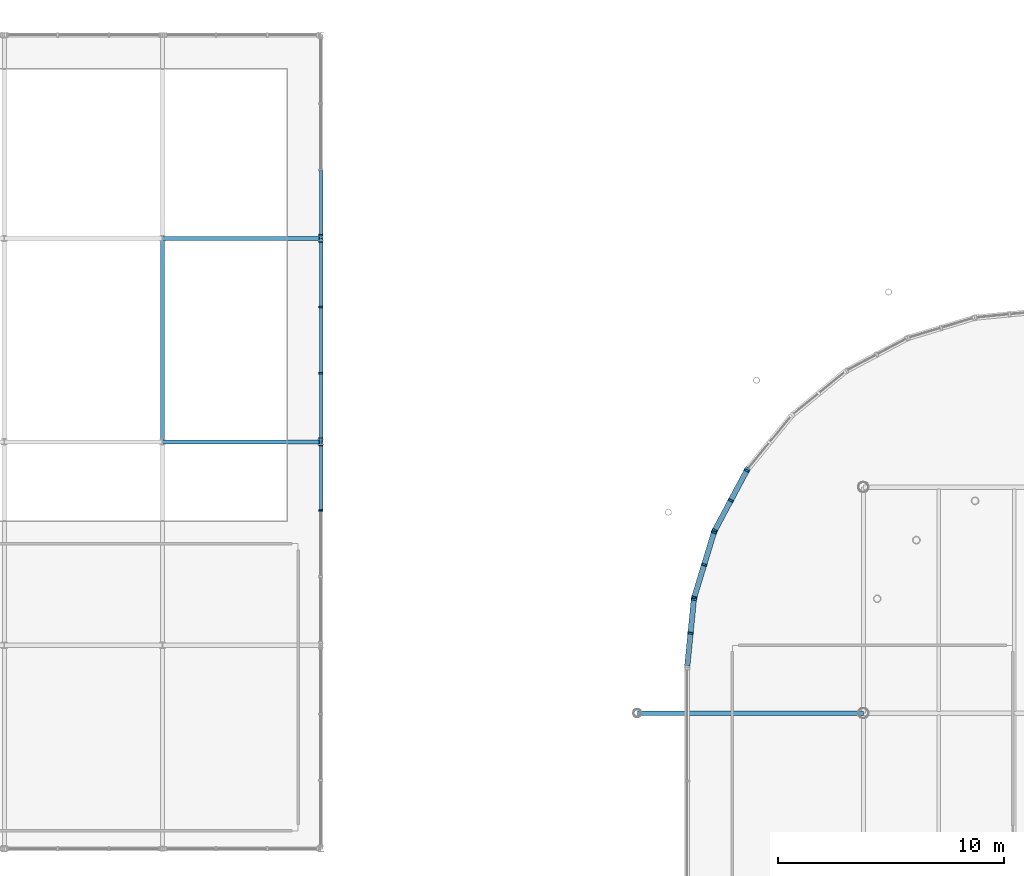
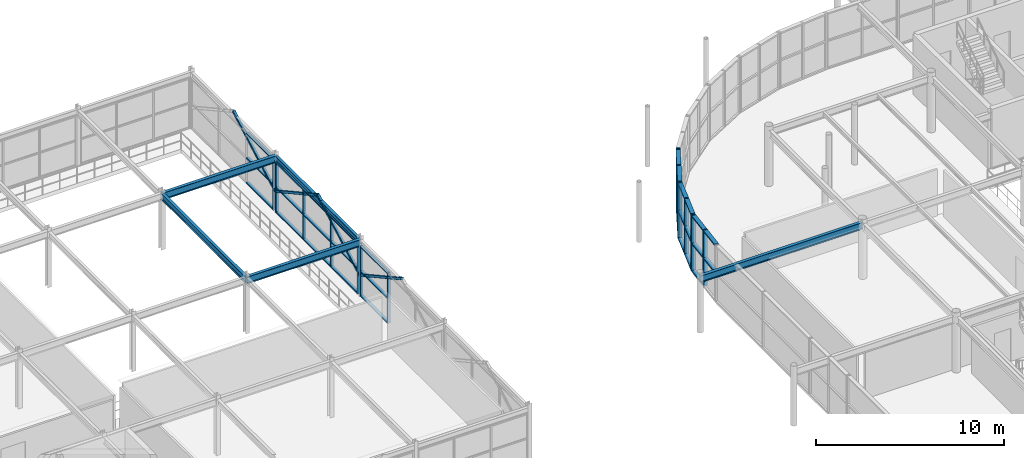
# One storey, part 41 of 98: 52 members, 5 beams, 7 elements without a shape of their own.
"""IFC4 building model written with IfcOpenShell, lengths in metres."""

from ifc_helpers import new_model, si_unit, derived_unit, direction, frame, origin, origin_2d_with_axis, place, context, subcontext, project, spatial, rectangle, hollow_rectangle, i_section, extrude, material, material_profile, profile_set, type_object, element, aggregate, save


model = new_model("IFC4")

# Units and contexts
model_context = context("Model", 3, precision=1e-05, world=origin(), true_north=direction((0.0, 1.0)))
body_context = subcontext(model_context, "Body", "Model", "MODEL_VIEW")
ifc_project = project(units=[si_unit("LENGTHUNIT", "METRE"), si_unit("AREAUNIT", "SQUARE_METRE"), si_unit("VOLUMEUNIT", "CUBIC_METRE"), si_unit("PLANEANGLEUNIT", "RADIAN"), si_unit("MASSUNIT", "GRAM", prefix="KILO"), derived_unit("THERMALTRANSMITTANCEUNIT", [(si_unit("POWERUNIT", "WATT"), 1), (si_unit("LENGTHUNIT", "METRE"), -2), (si_unit("THERMODYNAMICTEMPERATUREUNIT", "KELVIN"), -1)])], contexts=[model_context])

# Site, building, storey
site_placement = place(None, origin())
site = spatial("IfcSite", under=ifc_project, at=site_placement, CompositionType="ELEMENT")
building_placement = place(site_placement, origin())
building = spatial("IfcBuilding", under=site, at=building_placement, Name="Cinnabar Yard Market Hall", CompositionType="ELEMENT")
storey_placement = place(building_placement, frame((0.0, 0.0, 4.5)))
storey = spatial("IfcBuildingStorey", under=building, at=storey_placement, Name="L01", CompositionType="ELEMENT", Elevation=4.5)

# Beams
ifc_material_1 = material(Name="Steel Grade 300 (300 MPa)", Category="steel")
ifc_material_profile_1 = material_profile(ifc_material_1, i_section(OverallWidth=0.18994140625, OverallDepth=0.453857421875, WebThickness=0.008544921875, FlangeThickness=0.0126953125, FilletRadius=0.011474609375, at=origin_2d_with_axis()), Name="460UB67.1")
ifc_profile_set_1 = profile_set([ifc_material_profile_1], Name="Steel Grade 300 (300 MPa)")
beam_type_1 = type_object("IfcBeamType", Name="BM-B05", PredefinedType="BEAM", material=ifc_profile_set_1)
for number, where, z_axis, x_axis, name in (
    (1, (45.0, 66.0, 3.423095703125), (1.0, 0.0, 0.0), (0.0, 1.0, 0.0), "V2 L01 Girder X 00734"),
    (2, (45.0, 75.0, 3.423095703125), (1.0, 0.0, 0.0), (0.0, 1.0, 0.0), "V2 L01 Girder X 00735"),
):
    element("IfcBeam", number, at=place(storey_placement, frame(where, z_axis=z_axis, x_axis=x_axis)), inside=storey, type_object=beam_type_1, Name=name, PredefinedType="BEAM", context=body_context, shape_type="SweptSolid", body=[
        extrude(i_section(OverallWidth=0.18994140625, OverallDepth=0.453857421875, WebThickness=0.008544921875, FlangeThickness=0.0126953125, FilletRadius=0.011474609375, at=origin_2d_with_axis()), origin(), (0.0, 0.0, 1.0), 7.0),
    ])
ifc_material_profile_2 = material_profile(ifc_material_1, i_section(OverallWidth=0.18994140625, OverallDepth=0.453857421875, WebThickness=0.008544921875, FlangeThickness=0.0126953125, FilletRadius=0.011474609375, at=origin_2d_with_axis()), Name="460UB67.1")
ifc_profile_set_2 = profile_set([ifc_material_profile_2], Name="Steel Grade 300 (300 MPa)")
beam_type_2 = type_object("IfcBeamType", Name="BM-B05E", PredefinedType="BEAM", material=ifc_profile_set_2)
beam_1_placement = place(storey_placement, frame((76.0, 54.0, 3.423095703125), z_axis=(-1.0, 0.0, 0.0), x_axis=(0.0, -1.0, 0.0)))
element("IfcBeam", 3, at=beam_1_placement, inside=storey, type_object=beam_type_2, Name="L01 Gallery West Tie 00305", PredefinedType="BEAM", context=body_context, shape_type="SweptSolid", body=[
    extrude(i_section(OverallWidth=0.18994140625, OverallDepth=0.453857421875, WebThickness=0.008544921875, FlangeThickness=0.0126953125, FilletRadius=0.011474609375, at=origin_2d_with_axis()), origin(), (0.0, 0.0, 1.0), 10.0),
])
ifc_material_profile_3 = material_profile(ifc_material_1, i_section(OverallWidth=0.177978515625, OverallDepth=0.406494140625, WebThickness=0.0078125, FlangeThickness=0.0126953125, FilletRadius=0.011474609375, at=origin_2d_with_axis()), Name="410UB59.7")
ifc_profile_set_3 = profile_set([ifc_material_profile_3], Name="Steel Grade 300 (300 MPa)")
beam_type_3 = type_object("IfcBeamType", Name="BM-B06", PredefinedType="BEAM", material=ifc_profile_set_3)
beam_2_placement = place(storey_placement, frame((45.0, 66.0, 3.44677734375), z_axis=(0.0, 1.0, 0.0), x_axis=(-1.0, 0.0, 0.0)))
element("IfcBeam", 4, at=beam_2_placement, inside=storey, type_object=beam_type_3, Name="V2 L01 Girder Y 00759", PredefinedType="BEAM", context=body_context, shape_type="SweptSolid", body=[
    extrude(i_section(OverallWidth=0.177978515625, OverallDepth=0.406494140625, WebThickness=0.0078125, FlangeThickness=0.0126953125, FilletRadius=0.011474609375, at=origin_2d_with_axis()), origin(), (0.0, 0.0, 1.0), 9.0),
])
ifc_material_profile_4 = material_profile(ifc_material_1, i_section(OverallWidth=0.172119140625, OverallDepth=0.358642578125, WebThickness=0.008056640625, FlangeThickness=0.012939453125, FilletRadius=0.011474609375, at=origin_2d_with_axis()), Name="360UB56.7")
ifc_profile_set_4 = profile_set([ifc_material_profile_4], Name="Steel Grade 300 (300 MPa)")
beam_type_4 = type_object("IfcBeamType", Name="BM-SP02E", PredefinedType="SPANDREL", material=ifc_profile_set_4)
beam_3_placement = place(storey_placement, frame((52.0, 66.0, 3.470703125), z_axis=(0.0, 1.0, 0.0), x_axis=(-1.0, 0.0, 0.0)))
element("IfcBeam", 5, at=beam_3_placement, inside=storey, type_object=beam_type_4, Name="V2 L01 Girder Y 00763", PredefinedType="SPANDREL", context=body_context, shape_type="SweptSolid", body=[
    extrude(i_section(OverallWidth=0.172119140625, OverallDepth=0.358642578125, WebThickness=0.008056640625, FlangeThickness=0.012939453125, FilletRadius=0.011474609375, at=origin_2d_with_axis()), origin(), (0.0, 0.0, 1.0), 9.0),
])

# Curtain wall, member
ifc_material_2 = material(Name="Anodised bronze aluminium curved-chord facade", Category="aluminium")
curtain_wall_type_1 = type_object("IfcCurtainWallType", Name="CW-CWC031x36", PredefinedType="NOTDEFINED", material=ifc_material_2)
curtain_wall_1_placement = place(storey_placement, origin())
curtain_wall_1 = element("IfcCurtainWall", 6, at=curtain_wall_1_placement, inside=storey, type_object=curtain_wall_type_1, Name="Corner NW Chord 5 L01", PredefinedType="NOTDEFINED")
ifc_material_3 = material(Name="Anodised bronze aluminium", Category="aluminium")
ifc_material_profile_5 = material_profile(ifc_material_3, rectangle(XDim=0.239990234375, YDim=0.090087890625, at=origin_2d_with_axis()), Name="MUL-CWC")
ifc_profile_set_5 = profile_set([ifc_material_profile_5], Name="Anodised bronze aluminium")
member_type_1 = type_object("IfcMemberType", Name="CWM-CWC", PredefinedType="MULLION", material=ifc_profile_set_5)
member_1_placement = place(storey_placement, frame((70.891357421875, 64.812744140625, 0.0), z_axis=(0.0, 0.0, 1.0), x_axis=(0.773018564222, -0.634383400924, 0.0)))
member_1 = element("IfcMember", 7, at=member_1_placement, type_object=member_type_1, Name="CWC031x36 mullion 3", PredefinedType="MULLION", context=body_context, shape_type="SweptSolid", body=[
    extrude(rectangle(XDim=0.239990234375, YDim=0.090087890625, at=origin_2d_with_axis()), origin(), (0.0, 0.0, 1.0), 3.64990234375),
])
aggregate(curtain_wall_1, [member_1])

# Curtain wall, members
curtain_wall_2_placement = place(storey_placement, origin())
curtain_wall_2 = element("IfcCurtainWall", 8, at=curtain_wall_2_placement, inside=storey, type_object=curtain_wall_type_1, Name="Corner NW Chord 6 L01", PredefinedType="NOTDEFINED")
member_2_placement = place(storey_placement, frame((70.841552734375, 64.73828125, 0.0), z_axis=(0.0, 0.0, 1.0), x_axis=(0.881917320707, -0.471404114786, 0.0)))
member_2 = element("IfcMember", 9, at=member_2_placement, type_object=member_type_1, Name="CWC031x36 mullion 1", PredefinedType="MULLION", context=body_context, shape_type="SweptSolid", body=[
    extrude(rectangle(XDim=0.239990234375, YDim=0.090087890625, at=origin_2d_with_axis()), origin(), (0.0, 0.0, 1.0), 3.64990234375),
])
member_3_placement = place(storey_placement, frame((70.1328125, 63.412109375, 0.0), z_axis=(0.0, 0.0, 1.0), x_axis=(0.881917320707, -0.471404114786, 0.0)))
member_3 = element("IfcMember", 10, at=member_3_placement, type_object=member_type_1, Name="CWC031x36 mullion 2", PredefinedType="MULLION", context=body_context, shape_type="SweptSolid", body=[
    extrude(rectangle(XDim=0.239990234375, YDim=0.090087890625, at=origin_2d_with_axis()), origin(), (0.0, 0.0, 1.0), 3.64990234375),
])
member_4_placement = place(storey_placement, frame((69.423828125, 62.086181640625, 0.0), z_axis=(0.0, 0.0, 1.0), x_axis=(0.881917320707, -0.471404114786, 0.0)))
member_4 = element("IfcMember", 11, at=member_4_placement, type_object=member_type_1, Name="CWC031x36 mullion 3", PredefinedType="MULLION", context=body_context, shape_type="SweptSolid", body=[
    extrude(rectangle(XDim=0.239990234375, YDim=0.090087890625, at=origin_2d_with_axis()), origin(), (0.0, 0.0, 1.0), 3.64990234375),
])

curtain_wall_3_placement = place(storey_placement, origin())
curtain_wall_3 = element("IfcCurtainWall", 12, at=curtain_wall_3_placement, inside=storey, type_object=curtain_wall_type_1, Name="Corner NW Chord 7 L01", PredefinedType="NOTDEFINED")
member_5_placement = place(storey_placement, frame((69.3896484375, 62.00341796875, 0.0), z_axis=(0.0, 0.0, 1.0), x_axis=(0.956942090856, -0.290278891325, 0.0)))
member_5 = element("IfcMember", 13, at=member_5_placement, type_object=member_type_1, Name="CWC031x36 mullion 1", PredefinedType="MULLION", context=body_context, shape_type="SweptSolid", body=[
    extrude(rectangle(XDim=0.239990234375, YDim=0.090087890625, at=origin_2d_with_axis()), origin(), (0.0, 0.0, 1.0), 3.64990234375),
])
member_6_placement = place(storey_placement, frame((68.953125, 60.564453125, 0.0), z_axis=(0.0, 0.0, 1.0), x_axis=(0.956942090856, -0.290278891325, 0.0)))
member_6 = element("IfcMember", 14, at=member_6_placement, type_object=member_type_1, Name="CWC031x36 mullion 2", PredefinedType="MULLION", context=body_context, shape_type="SweptSolid", body=[
    extrude(rectangle(XDim=0.239990234375, YDim=0.090087890625, at=origin_2d_with_axis()), origin(), (0.0, 0.0, 1.0), 3.64990234375),
])
member_7_placement = place(storey_placement, frame((68.5166015625, 59.12548828125, 0.0), z_axis=(0.0, 0.0, 1.0), x_axis=(0.956942090856, -0.290278891325, 0.0)))
member_7 = element("IfcMember", 15, at=member_7_placement, type_object=member_type_1, Name="CWC031x36 mullion 3", PredefinedType="MULLION", context=body_context, shape_type="SweptSolid", body=[
    extrude(rectangle(XDim=0.239990234375, YDim=0.090087890625, at=origin_2d_with_axis()), origin(), (0.0, 0.0, 1.0), 3.64990234375),
])

curtain_wall_4_placement = place(storey_placement, origin())
curtain_wall_4 = element("IfcCurtainWall", 16, at=curtain_wall_4_placement, inside=storey, type_object=curtain_wall_type_1, Name="Corner NW Chord 8 L01", PredefinedType="NOTDEFINED")
member_8_placement = place(storey_placement, frame((68.499267578125, 59.03759765625, 0.0), z_axis=(0.0, 0.0, 1.0), x_axis=(0.995184408637, -0.098020369342, 0.0)))
member_8 = element("IfcMember", 17, at=member_8_placement, type_object=member_type_1, Name="CWC031x36 mullion 1", PredefinedType="MULLION", context=body_context, shape_type="SweptSolid", body=[
    extrude(rectangle(XDim=0.239990234375, YDim=0.090087890625, at=origin_2d_with_axis()), origin(), (0.0, 0.0, 1.0), 3.64990234375),
])
member_9_placement = place(storey_placement, frame((68.351806640625, 57.541259765625, 0.0), z_axis=(0.0, 0.0, 1.0), x_axis=(0.995184408637, -0.098020369342, 0.0)))
member_9 = element("IfcMember", 18, at=member_9_placement, type_object=member_type_1, Name="CWC031x36 mullion 2", PredefinedType="MULLION", context=body_context, shape_type="SweptSolid", body=[
    extrude(rectangle(XDim=0.239990234375, YDim=0.090087890625, at=origin_2d_with_axis()), origin(), (0.0, 0.0, 1.0), 3.64990234375),
])

ifc_material_4 = material(Name="Anodised bronze aluminium courtyard facade", Category="aluminium")
curtain_wall_type_2 = type_object("IfcCurtainWallType", Name="CW-CWF088x33", PredefinedType="NOTDEFINED", material=ifc_material_4)
curtain_wall_5_placement = place(storey_placement, origin())
curtain_wall_5 = element("IfcCurtainWall", 19, at=curtain_wall_5_placement, inside=storey, type_object=curtain_wall_type_2, Name="Pavilion Courtyard Glazing L01 Bay 2", PredefinedType="NOTDEFINED")
ifc_material_profile_6 = material_profile(ifc_material_3, rectangle(XDim=0.179931640625, YDim=0.074951171875, at=origin_2d_with_axis()), Name="MUL-CWF")
ifc_profile_set_6 = profile_set([ifc_material_profile_6], Name="Anodised bronze aluminium")
member_type_2 = type_object("IfcMemberType", Name="CWM-CWF", PredefinedType="MULLION", material=ifc_profile_set_6)
member_10_placement = place(storey_placement, frame((52.0, 62.966552734375, 0.0), z_axis=(0.0, 0.0, 1.0), x_axis=(-1.0, 0.0, 0.0)))
member_10 = element("IfcMember", 20, at=member_10_placement, type_object=member_type_2, Name="CWF088x33 mullion 3", PredefinedType="MULLION", context=body_context, shape_type="SweptSolid", body=[
    extrude(rectangle(XDim=0.179931640625, YDim=0.074951171875, at=origin_2d_with_axis()), origin(), (0.0, 0.0, 1.0), 3.2900390625),
])
member_11_placement = place(storey_placement, frame((52.0, 65.862548828125, 0.0), z_axis=(0.0, 0.0, 1.0), x_axis=(-1.0, 0.0, 0.0)))
member_11 = element("IfcMember", 21, at=member_11_placement, type_object=member_type_2, Name="CWF088x33 mullion 4", PredefinedType="MULLION", context=body_context, shape_type="SweptSolid", body=[
    extrude(rectangle(XDim=0.179931640625, YDim=0.074951171875, at=origin_2d_with_axis()), origin(), (0.0, 0.0, 1.0), 3.2900390625),
])

curtain_wall_6_placement = place(storey_placement, origin())
curtain_wall_6 = element("IfcCurtainWall", 22, at=curtain_wall_6_placement, inside=storey, type_object=curtain_wall_type_2, Name="Pavilion Courtyard Glazing L01 Bay 3", PredefinedType="NOTDEFINED")
member_12_placement = place(storey_placement, frame((52.0, 66.137451171875, 0.0), z_axis=(0.0, 0.0, 1.0), x_axis=(-1.0, 0.0, 0.0)))
member_12 = element("IfcMember", 23, at=member_12_placement, type_object=member_type_2, Name="CWF088x33 mullion 1", PredefinedType="MULLION", context=body_context, shape_type="SweptSolid", body=[
    extrude(rectangle(XDim=0.179931640625, YDim=0.074951171875, at=origin_2d_with_axis()), origin(), (0.0, 0.0, 1.0), 3.2900390625),
])
member_13_placement = place(storey_placement, frame((52.0, 69.033447265625, 0.0), z_axis=(0.0, 0.0, 1.0), x_axis=(-1.0, 0.0, 0.0)))
member_13 = element("IfcMember", 24, at=member_13_placement, type_object=member_type_2, Name="CWF088x33 mullion 2", PredefinedType="MULLION", context=body_context, shape_type="SweptSolid", body=[
    extrude(rectangle(XDim=0.179931640625, YDim=0.074951171875, at=origin_2d_with_axis()), origin(), (0.0, 0.0, 1.0), 3.2900390625),
])
member_14_placement = place(storey_placement, frame((52.0, 71.966552734375, 0.0), z_axis=(0.0, 0.0, 1.0), x_axis=(-1.0, 0.0, 0.0)))
member_14 = element("IfcMember", 25, at=member_14_placement, type_object=member_type_2, Name="CWF088x33 mullion 3", PredefinedType="MULLION", context=body_context, shape_type="SweptSolid", body=[
    extrude(rectangle(XDim=0.179931640625, YDim=0.074951171875, at=origin_2d_with_axis()), origin(), (0.0, 0.0, 1.0), 3.2900390625),
])
member_15_placement = place(storey_placement, frame((52.0, 74.862548828125, 0.0), z_axis=(0.0, 0.0, 1.0), x_axis=(-1.0, 0.0, 0.0)))
member_15 = element("IfcMember", 26, at=member_15_placement, type_object=member_type_2, Name="CWF088x33 mullion 4", PredefinedType="MULLION", context=body_context, shape_type="SweptSolid", body=[
    extrude(rectangle(XDim=0.179931640625, YDim=0.074951171875, at=origin_2d_with_axis()), origin(), (0.0, 0.0, 1.0), 3.2900390625),
])

# Curtain wall, member
curtain_wall_7_placement = place(storey_placement, origin())
curtain_wall_7 = element("IfcCurtainWall", 27, at=curtain_wall_7_placement, inside=storey, type_object=curtain_wall_type_2, Name="Pavilion Courtyard Glazing L01 Bay 4", PredefinedType="NOTDEFINED")
member_16_placement = place(storey_placement, frame((52.0, 75.137451171875, 0.0), z_axis=(0.0, 0.0, 1.0), x_axis=(-1.0, 0.0, 0.0)))
member_16 = element("IfcMember", 28, at=member_16_placement, type_object=member_type_2, Name="CWF088x33 mullion 1", PredefinedType="MULLION", context=body_context, shape_type="SweptSolid", body=[
    extrude(rectangle(XDim=0.179931640625, YDim=0.074951171875, at=origin_2d_with_axis()), origin(), (0.0, 0.0, 1.0), 3.2900390625),
])

# Member
ifc_material_profile_7 = material_profile(ifc_material_3, rectangle(XDim=0.239990234375, YDim=0.090087890625, at=origin_2d_with_axis()), Name="TRN-CWC")
ifc_profile_set_7 = profile_set([ifc_material_profile_7], Name="Anodised bronze aluminium")
member_type_3 = type_object("IfcMemberType", Name="CWT-CWC", PredefinedType="USERDEFINED", material=ifc_profile_set_7)
member_17_placement = place(storey_placement, frame((70.8203125, 64.69873046875, 0.044921875), z_axis=(-0.471296210365, -0.881974989496, 0.0), x_axis=(0.881974989496, -0.471296210365, 0.0)))
member_17 = element("IfcMember", 29, at=member_17_placement, type_object=member_type_3, Name="CWC031x36 transom 1.1", ObjectType="TRANSOM", PredefinedType="USERDEFINED", context=body_context, shape_type="SweptSolid", body=[
    extrude(rectangle(XDim=0.239990234375, YDim=0.090087890625, at=origin_2d_with_axis()), origin(), (0.0, 0.0, 1.0), 1.41357421875),
])

member_18_placement = place(storey_placement, frame((70.8203125, 64.69873046875, 1.824951171875), z_axis=(-0.471296210365, -0.881974989496, 0.0), x_axis=(0.881974989496, -0.471296210365, 0.0)))
member_18 = element("IfcMember", 30, at=member_18_placement, type_object=member_type_3, Name="CWC031x36 transom 1.2", ObjectType="TRANSOM", PredefinedType="USERDEFINED", context=body_context, shape_type="SweptSolid", body=[
    extrude(rectangle(XDim=0.239990234375, YDim=0.090087890625, at=origin_2d_with_axis()), origin(), (0.0, 0.0, 1.0), 1.41357421875),
])

member_19_placement = place(storey_placement, frame((70.8203125, 64.69873046875, 3.60498046875), z_axis=(-0.471296210365, -0.881974989496, 0.0), x_axis=(0.881974989496, -0.471296210365, 0.0)))
member_19 = element("IfcMember", 31, at=member_19_placement, type_object=member_type_3, Name="CWC031x36 transom 1.3", ObjectType="TRANSOM", PredefinedType="USERDEFINED", context=body_context, shape_type="SweptSolid", body=[
    extrude(rectangle(XDim=0.239990234375, YDim=0.090087890625, at=origin_2d_with_axis()), origin(), (0.0, 0.0, 1.0), 1.41357421875),
])

member_20_placement = place(storey_placement, frame((70.111572265625, 63.37255859375, 0.044921875), z_axis=(-0.471430533224, -0.881903198965, 0.0), x_axis=(0.881903198965, -0.471430533224, 0.0)))
member_20 = element("IfcMember", 32, at=member_20_placement, type_object=member_type_3, Name="CWC031x36 transom 2.1", ObjectType="TRANSOM", PredefinedType="USERDEFINED", context=body_context, shape_type="SweptSolid", body=[
    extrude(rectangle(XDim=0.239990234375, YDim=0.090087890625, at=origin_2d_with_axis()), origin(), (0.0, 0.0, 1.0), 1.413818359375),
])

member_21_placement = place(storey_placement, frame((70.111572265625, 63.37255859375, 1.824951171875), z_axis=(-0.471430533224, -0.881903198965, 0.0), x_axis=(0.881903198965, -0.471430533224, 0.0)))
member_21 = element("IfcMember", 33, at=member_21_placement, type_object=member_type_3, Name="CWC031x36 transom 2.2", ObjectType="TRANSOM", PredefinedType="USERDEFINED", context=body_context, shape_type="SweptSolid", body=[
    extrude(rectangle(XDim=0.239990234375, YDim=0.090087890625, at=origin_2d_with_axis()), origin(), (0.0, 0.0, 1.0), 1.413818359375),
])

member_22_placement = place(storey_placement, frame((70.111572265625, 63.37255859375, 3.60498046875), z_axis=(-0.471430533224, -0.881903198965, 0.0), x_axis=(0.881903198965, -0.471430533224, 0.0)))
member_22 = element("IfcMember", 34, at=member_22_placement, type_object=member_type_3, Name="CWC031x36 transom 2.3", ObjectType="TRANSOM", PredefinedType="USERDEFINED", context=body_context, shape_type="SweptSolid", body=[
    extrude(rectangle(XDim=0.239990234375, YDim=0.090087890625, at=origin_2d_with_axis()), origin(), (0.0, 0.0, 1.0), 1.413818359375),
])

aggregate(curtain_wall_2, [member_2, member_3, member_4, member_17, member_18, member_19, member_20, member_21, member_22])

member_23_placement = place(storey_placement, frame((69.37646484375, 61.960205078125, 0.044921875), z_axis=(-0.290151195166, -0.956980816915, 0.0), x_axis=(0.956980816915, -0.290151195166, 0.0)))
member_23 = element("IfcMember", 35, at=member_23_placement, type_object=member_type_3, Name="CWC031x36 transom 1.1", ObjectType="TRANSOM", PredefinedType="USERDEFINED", context=body_context, shape_type="SweptSolid", body=[
    extrude(rectangle(XDim=0.239990234375, YDim=0.090087890625, at=origin_2d_with_axis()), origin(), (0.0, 0.0, 1.0), 1.41357421875),
])

member_24_placement = place(storey_placement, frame((69.37646484375, 61.960205078125, 1.824951171875), z_axis=(-0.290151195166, -0.956980816915, 0.0), x_axis=(0.956980816915, -0.290151195166, 0.0)))
member_24 = element("IfcMember", 36, at=member_24_placement, type_object=member_type_3, Name="CWC031x36 transom 1.2", ObjectType="TRANSOM", PredefinedType="USERDEFINED", context=body_context, shape_type="SweptSolid", body=[
    extrude(rectangle(XDim=0.239990234375, YDim=0.090087890625, at=origin_2d_with_axis()), origin(), (0.0, 0.0, 1.0), 1.41357421875),
])

member_25_placement = place(storey_placement, frame((69.37646484375, 61.960205078125, 3.60498046875), z_axis=(-0.290151195166, -0.956980816915, 0.0), x_axis=(0.956980816915, -0.290151195166, 0.0)))
member_25 = element("IfcMember", 37, at=member_25_placement, type_object=member_type_3, Name="CWC031x36 transom 1.3", ObjectType="TRANSOM", PredefinedType="USERDEFINED", context=body_context, shape_type="SweptSolid", body=[
    extrude(rectangle(XDim=0.239990234375, YDim=0.090087890625, at=origin_2d_with_axis()), origin(), (0.0, 0.0, 1.0), 1.41357421875),
])

member_26_placement = place(storey_placement, frame((68.940185546875, 60.521240234375, 0.044921875), z_axis=(-0.290309352341, -0.956932850279, 0.0), x_axis=(0.956932850279, -0.290309352341, 0.0)))
member_26 = element("IfcMember", 38, at=member_26_placement, type_object=member_type_3, Name="CWC031x36 transom 2.1", ObjectType="TRANSOM", PredefinedType="USERDEFINED", context=body_context, shape_type="SweptSolid", body=[
    extrude(rectangle(XDim=0.239990234375, YDim=0.090087890625, at=origin_2d_with_axis()), origin(), (0.0, 0.0, 1.0), 1.41357421875),
])

member_27_placement = place(storey_placement, frame((68.940185546875, 60.521240234375, 1.824951171875), z_axis=(-0.290309352341, -0.956932850279, 0.0), x_axis=(0.956932850279, -0.290309352341, 0.0)))
member_27 = element("IfcMember", 39, at=member_27_placement, type_object=member_type_3, Name="CWC031x36 transom 2.2", ObjectType="TRANSOM", PredefinedType="USERDEFINED", context=body_context, shape_type="SweptSolid", body=[
    extrude(rectangle(XDim=0.239990234375, YDim=0.090087890625, at=origin_2d_with_axis()), origin(), (0.0, 0.0, 1.0), 1.41357421875),
])

member_28_placement = place(storey_placement, frame((68.940185546875, 60.521240234375, 3.60498046875), z_axis=(-0.290309352341, -0.956932850279, 0.0), x_axis=(0.956932850279, -0.290309352341, 0.0)))
member_28 = element("IfcMember", 40, at=member_28_placement, type_object=member_type_3, Name="CWC031x36 transom 2.3", ObjectType="TRANSOM", PredefinedType="USERDEFINED", context=body_context, shape_type="SweptSolid", body=[
    extrude(rectangle(XDim=0.239990234375, YDim=0.090087890625, at=origin_2d_with_axis()), origin(), (0.0, 0.0, 1.0), 1.41357421875),
])

aggregate(curtain_wall_3, [member_5, member_6, member_7, member_23, member_24, member_25, member_26, member_27, member_28])

member_29_placement = place(storey_placement, frame((68.494873046875, 58.992919921875, 0.044921875), z_axis=(-0.098084531214, -0.995178086946, 0.0), x_axis=(0.995178086946, -0.098084531214, 0.0)))
member_29 = element("IfcMember", 41, at=member_29_placement, type_object=member_type_3, Name="CWC031x36 transom 1.1", ObjectType="TRANSOM", PredefinedType="USERDEFINED", context=body_context, shape_type="SweptSolid", body=[
    extrude(rectangle(XDim=0.239990234375, YDim=0.090087890625, at=origin_2d_with_axis()), origin(), (0.0, 0.0, 1.0), 1.413818359375),
])

member_30_placement = place(storey_placement, frame((68.494873046875, 58.992919921875, 1.824951171875), z_axis=(-0.098084531214, -0.995178086946, 0.0), x_axis=(0.995178086946, -0.098084531214, 0.0)))
member_30 = element("IfcMember", 42, at=member_30_placement, type_object=member_type_3, Name="CWC031x36 transom 1.2", ObjectType="TRANSOM", PredefinedType="USERDEFINED", context=body_context, shape_type="SweptSolid", body=[
    extrude(rectangle(XDim=0.239990234375, YDim=0.090087890625, at=origin_2d_with_axis()), origin(), (0.0, 0.0, 1.0), 1.413818359375),
])

member_31_placement = place(storey_placement, frame((68.494873046875, 58.992919921875, 3.60498046875), z_axis=(-0.098084531214, -0.995178086946, 0.0), x_axis=(0.995178086946, -0.098084531214, 0.0)))
member_31 = element("IfcMember", 43, at=member_31_placement, type_object=member_type_3, Name="CWC031x36 transom 1.3", ObjectType="TRANSOM", PredefinedType="USERDEFINED", context=body_context, shape_type="SweptSolid", body=[
    extrude(rectangle(XDim=0.239990234375, YDim=0.090087890625, at=origin_2d_with_axis()), origin(), (0.0, 0.0, 1.0), 1.413818359375),
])

member_32_placement = place(storey_placement, frame((68.347412109375, 57.496337890625, 1.824951171875), z_axis=(-0.098101390058, -0.995176425197, 0.0), x_axis=(0.995176425197, -0.098101390058, 0.0)))
member_32 = element("IfcMember", 44, at=member_32_placement, type_object=member_type_3, Name="CWC031x36 transom 2.2", ObjectType="TRANSOM", PredefinedType="USERDEFINED", context=body_context, shape_type="SweptSolid", body=[
    extrude(rectangle(XDim=0.239990234375, YDim=0.090087890625, at=origin_2d_with_axis()), origin(), (0.0, 0.0, 1.0), 1.41357421875),
])

member_33_placement = place(storey_placement, frame((68.347412109375, 57.496337890625, 3.60498046875), z_axis=(-0.098101390058, -0.995176425197, 0.0), x_axis=(0.995176425197, -0.098101390058, 0.0)))
member_33 = element("IfcMember", 45, at=member_33_placement, type_object=member_type_3, Name="CWC031x36 transom 2.3", ObjectType="TRANSOM", PredefinedType="USERDEFINED", context=body_context, shape_type="SweptSolid", body=[
    extrude(rectangle(XDim=0.239990234375, YDim=0.090087890625, at=origin_2d_with_axis()), origin(), (0.0, 0.0, 1.0), 1.41357421875),
])

aggregate(curtain_wall_4, [member_8, member_9, member_29, member_30, member_31, member_32, member_33])

ifc_material_profile_8 = material_profile(ifc_material_3, rectangle(XDim=0.179931640625, YDim=0.074951171875, at=origin_2d_with_axis()), Name="TRN-CWF")
ifc_profile_set_8 = profile_set([ifc_material_profile_8], Name="Anodised bronze aluminium")
member_type_4 = type_object("IfcMemberType", Name="CWT-CWF", PredefinedType="USERDEFINED", material=ifc_profile_set_8)
member_34_placement = place(storey_placement, frame((52.0, 63.004150390625, 0.03759765625), z_axis=(0.0, 1.0, 0.0), x_axis=(-1.0, 0.0, 0.0)))
member_34 = element("IfcMember", 46, at=member_34_placement, type_object=member_type_4, Name="CWF088x33 transom 3.1", ObjectType="TRANSOM", PredefinedType="USERDEFINED", context=body_context, shape_type="SweptSolid", body=[
    extrude(rectangle(XDim=0.179931640625, YDim=0.074951171875, at=origin_2d_with_axis()), origin(), (0.0, 0.0, 1.0), 2.82080078125),
])

member_35_placement = place(storey_placement, frame((52.0, 63.004150390625, 1.64501953125), z_axis=(0.0, 1.0, 0.0), x_axis=(-1.0, 0.0, 0.0)))
member_35 = element("IfcMember", 47, at=member_35_placement, type_object=member_type_4, Name="CWF088x33 transom 3.2", ObjectType="TRANSOM", PredefinedType="USERDEFINED", context=body_context, shape_type="SweptSolid", body=[
    extrude(rectangle(XDim=0.179931640625, YDim=0.074951171875, at=origin_2d_with_axis()), origin(), (0.0, 0.0, 1.0), 2.82080078125),
])

member_36_placement = place(storey_placement, frame((52.0, 63.004150390625, 3.25244140625), z_axis=(0.0, 1.0, 0.0), x_axis=(-1.0, 0.0, 0.0)))
member_36 = element("IfcMember", 48, at=member_36_placement, type_object=member_type_4, Name="CWF088x33 transom 3.3", ObjectType="TRANSOM", PredefinedType="USERDEFINED", context=body_context, shape_type="SweptSolid", body=[
    extrude(rectangle(XDim=0.179931640625, YDim=0.074951171875, at=origin_2d_with_axis()), origin(), (0.0, 0.0, 1.0), 2.82080078125),
])

aggregate(curtain_wall_5, [member_10, member_11, member_34, member_35, member_36])

member_37_placement = place(storey_placement, frame((52.0, 66.175048828125, 0.03759765625), z_axis=(0.0, 1.0, 0.0), x_axis=(-1.0, 0.0, 0.0)))
member_37 = element("IfcMember", 49, at=member_37_placement, type_object=member_type_4, Name="CWF088x33 transom 1.1", ObjectType="TRANSOM", PredefinedType="USERDEFINED", context=body_context, shape_type="SweptSolid", body=[
    extrude(rectangle(XDim=0.179931640625, YDim=0.074951171875, at=origin_2d_with_axis()), origin(), (0.0, 0.0, 1.0), 2.82080078125),
])

member_38_placement = place(storey_placement, frame((52.0, 66.175048828125, 1.64501953125), z_axis=(0.0, 1.0, 0.0), x_axis=(-1.0, 0.0, 0.0)))
member_38 = element("IfcMember", 50, at=member_38_placement, type_object=member_type_4, Name="CWF088x33 transom 1.2", ObjectType="TRANSOM", PredefinedType="USERDEFINED", context=body_context, shape_type="SweptSolid", body=[
    extrude(rectangle(XDim=0.179931640625, YDim=0.074951171875, at=origin_2d_with_axis()), origin(), (0.0, 0.0, 1.0), 2.82080078125),
])

member_39_placement = place(storey_placement, frame((52.0, 66.175048828125, 3.25244140625), z_axis=(0.0, 1.0, 0.0), x_axis=(-1.0, 0.0, 0.0)))
member_39 = element("IfcMember", 51, at=member_39_placement, type_object=member_type_4, Name="CWF088x33 transom 1.3", ObjectType="TRANSOM", PredefinedType="USERDEFINED", context=body_context, shape_type="SweptSolid", body=[
    extrude(rectangle(XDim=0.179931640625, YDim=0.074951171875, at=origin_2d_with_axis()), origin(), (0.0, 0.0, 1.0), 2.82080078125),
])

member_40_placement = place(storey_placement, frame((52.0, 69.07080078125, 0.03759765625), z_axis=(0.0, 1.0, 0.0), x_axis=(-1.0, 0.0, 0.0)))
member_40 = element("IfcMember", 52, at=member_40_placement, type_object=member_type_4, Name="CWF088x33 transom 2.1", ObjectType="TRANSOM", PredefinedType="USERDEFINED", context=body_context, shape_type="SweptSolid", body=[
    extrude(rectangle(XDim=0.179931640625, YDim=0.074951171875, at=origin_2d_with_axis()), origin(), (0.0, 0.0, 1.0), 2.8583984375),
])

member_41_placement = place(storey_placement, frame((52.0, 69.07080078125, 1.64501953125), z_axis=(0.0, 1.0, 0.0), x_axis=(-1.0, 0.0, 0.0)))
member_41 = element("IfcMember", 53, at=member_41_placement, type_object=member_type_4, Name="CWF088x33 transom 2.2", ObjectType="TRANSOM", PredefinedType="USERDEFINED", context=body_context, shape_type="SweptSolid", body=[
    extrude(rectangle(XDim=0.179931640625, YDim=0.074951171875, at=origin_2d_with_axis()), origin(), (0.0, 0.0, 1.0), 2.8583984375),
])

member_42_placement = place(storey_placement, frame((52.0, 69.07080078125, 3.25244140625), z_axis=(0.0, 1.0, 0.0), x_axis=(-1.0, 0.0, 0.0)))
member_42 = element("IfcMember", 54, at=member_42_placement, type_object=member_type_4, Name="CWF088x33 transom 2.3", ObjectType="TRANSOM", PredefinedType="USERDEFINED", context=body_context, shape_type="SweptSolid", body=[
    extrude(rectangle(XDim=0.179931640625, YDim=0.074951171875, at=origin_2d_with_axis()), origin(), (0.0, 0.0, 1.0), 2.8583984375),
])

member_43_placement = place(storey_placement, frame((52.0, 72.004150390625, 0.03759765625), z_axis=(0.0, 1.0, 0.0), x_axis=(-1.0, 0.0, 0.0)))
member_43 = element("IfcMember", 55, at=member_43_placement, type_object=member_type_4, Name="CWF088x33 transom 3.1", ObjectType="TRANSOM", PredefinedType="USERDEFINED", context=body_context, shape_type="SweptSolid", body=[
    extrude(rectangle(XDim=0.179931640625, YDim=0.074951171875, at=origin_2d_with_axis()), origin(), (0.0, 0.0, 1.0), 2.82080078125),
])

member_44_placement = place(storey_placement, frame((52.0, 72.004150390625, 1.64501953125), z_axis=(0.0, 1.0, 0.0), x_axis=(-1.0, 0.0, 0.0)))
member_44 = element("IfcMember", 56, at=member_44_placement, type_object=member_type_4, Name="CWF088x33 transom 3.2", ObjectType="TRANSOM", PredefinedType="USERDEFINED", context=body_context, shape_type="SweptSolid", body=[
    extrude(rectangle(XDim=0.179931640625, YDim=0.074951171875, at=origin_2d_with_axis()), origin(), (0.0, 0.0, 1.0), 2.82080078125),
])

member_45_placement = place(storey_placement, frame((52.0, 72.004150390625, 3.25244140625), z_axis=(0.0, 1.0, 0.0), x_axis=(-1.0, 0.0, 0.0)))
member_45 = element("IfcMember", 57, at=member_45_placement, type_object=member_type_4, Name="CWF088x33 transom 3.3", ObjectType="TRANSOM", PredefinedType="USERDEFINED", context=body_context, shape_type="SweptSolid", body=[
    extrude(rectangle(XDim=0.179931640625, YDim=0.074951171875, at=origin_2d_with_axis()), origin(), (0.0, 0.0, 1.0), 2.82080078125),
])

aggregate(curtain_wall_6, [member_12, member_13, member_14, member_15, member_37, member_38, member_39, member_40, member_41, member_42, member_43, member_44, member_45])

member_46_placement = place(storey_placement, frame((52.0, 75.175048828125, 0.03759765625), z_axis=(0.0, 1.0, 0.0), x_axis=(-1.0, 0.0, 0.0)))
member_46 = element("IfcMember", 58, at=member_46_placement, type_object=member_type_4, Name="CWF088x33 transom 1.1", ObjectType="TRANSOM", PredefinedType="USERDEFINED", context=body_context, shape_type="SweptSolid", body=[
    extrude(rectangle(XDim=0.179931640625, YDim=0.074951171875, at=origin_2d_with_axis()), origin(), (0.0, 0.0, 1.0), 2.82080078125),
])

member_47_placement = place(storey_placement, frame((52.0, 75.175048828125, 1.64501953125), z_axis=(0.0, 1.0, 0.0), x_axis=(-1.0, 0.0, 0.0)))
member_47 = element("IfcMember", 59, at=member_47_placement, type_object=member_type_4, Name="CWF088x33 transom 1.2", ObjectType="TRANSOM", PredefinedType="USERDEFINED", context=body_context, shape_type="SweptSolid", body=[
    extrude(rectangle(XDim=0.179931640625, YDim=0.074951171875, at=origin_2d_with_axis()), origin(), (0.0, 0.0, 1.0), 2.82080078125),
])

member_48_placement = place(storey_placement, frame((52.0, 75.175048828125, 3.25244140625), z_axis=(0.0, 1.0, 0.0), x_axis=(-1.0, 0.0, 0.0)))
member_48 = element("IfcMember", 60, at=member_48_placement, type_object=member_type_4, Name="CWF088x33 transom 1.3", ObjectType="TRANSOM", PredefinedType="USERDEFINED", context=body_context, shape_type="SweptSolid", body=[
    extrude(rectangle(XDim=0.179931640625, YDim=0.074951171875, at=origin_2d_with_axis()), origin(), (0.0, 0.0, 1.0), 2.82080078125),
])

aggregate(curtain_wall_7, [member_16, member_46, member_47, member_48])

# Members
ifc_material_5 = material(Name="Spotted-gum glulam-clad steel Grade 350 (350 MPa)", Category="steel")
ifc_material_profile_9 = material_profile(ifc_material_5, hollow_rectangle(XDim=0.14990234375, YDim=0.14990234375, WallThickness=0.006103515625, InnerFilletRadius=0.006103515625, OuterFilletRadius=0.011962890625, at=origin_2d_with_axis()), Name="150x150x6.0SHS")
ifc_profile_set_9 = profile_set([ifc_material_profile_9], Name="Spotted-gum glulam-clad steel Grade 350 (350 MPa)")
member_type_5 = type_object("IfcMemberType", Name="MB-AR02E", PredefinedType="USERDEFINED", material=ifc_profile_set_9)
for number, where, z_axis, x_axis, name in (
    (61, (52.0, 66.0, 1.300048828125), (0.0, -0.875806284183, 0.482662773151), (1.0, 0.0, 0.0), "Pavilion Arcade Arch 2B"),
    (62, (52.0, 66.0, 1.300048828125), (0.0, 0.875806284183, 0.482662773151), (-1.0, 0.0, 0.0), "Pavilion Arcade Arch 3A"),
    (63, (52.0, 75.0, 1.300048828125), (0.0, -0.875806284183, 0.482662773151), (1.0, 0.0, 0.0), "Pavilion Arcade Arch 3B"),
    (64, (52.0, 75.0, 1.300048828125), (0.0, 0.875806284183, 0.482662773151), (-1.0, 0.0, 0.0), "Pavilion Arcade Arch 4A"),
):
    element("IfcMember", number, at=place(storey_placement, frame(where, z_axis=z_axis, x_axis=x_axis)), inside=storey, type_object=member_type_5, Name=name, ObjectType="ARCH RIB", PredefinedType="USERDEFINED", context=body_context, shape_type="SweptSolid", body=[
        extrude(hollow_rectangle(XDim=0.14990234375, YDim=0.14990234375, WallThickness=0.006103515625, InnerFilletRadius=0.006103515625, OuterFilletRadius=0.011962890625, at=origin_2d_with_axis()), origin(), (0.0, 0.0, 1.0), 5.13818359375),
    ])

save(model, "model.ifc")
